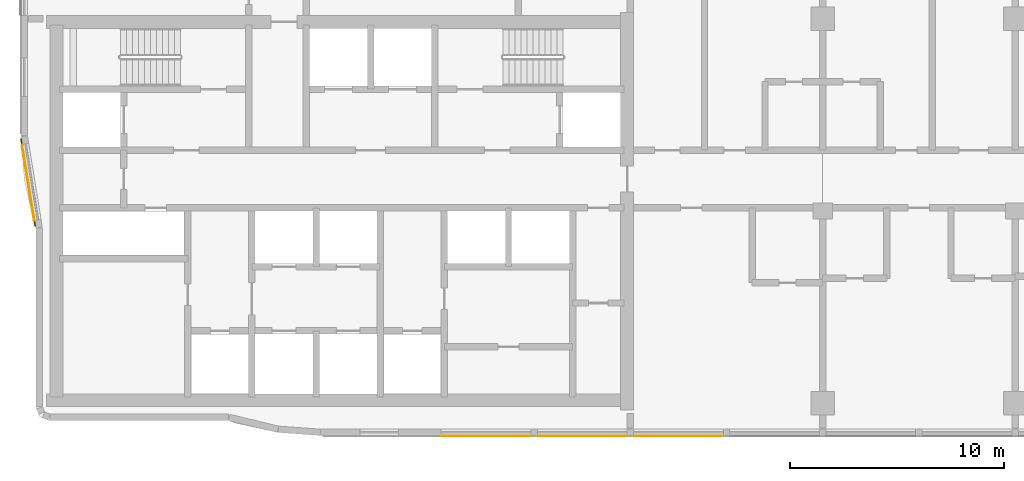
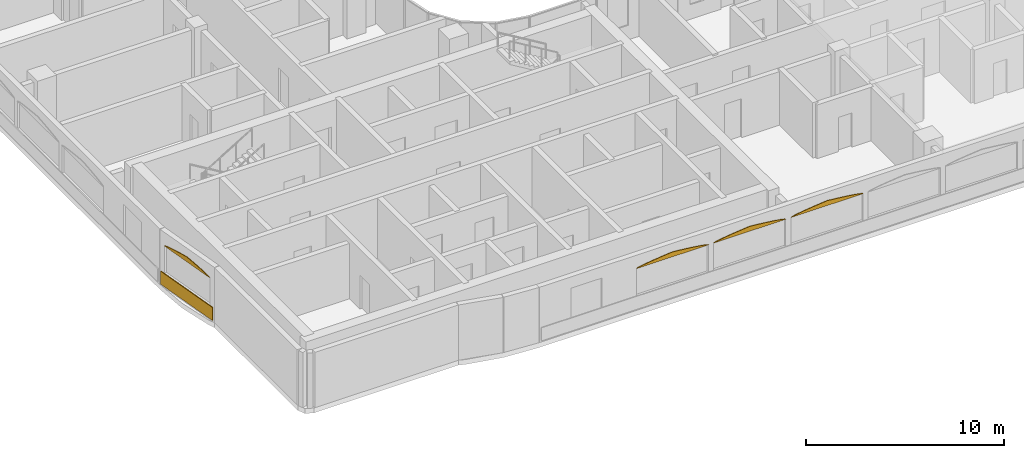
# One storey, part 15 of 22: 5 coverings.
"""IFC4 building model written with IfcOpenShell, lengths in metres."""

import ifcopenshell
import ifcopenshell.guid

model = None  # the IFC model being written
_history = None  # IfcOwnerHistory: only IFC2X3 demands one
_inside = {}  # id of a spatial element -> (the spatial element, [elements in it])
_under = {}  # id of a project, library or spatial element -> (it, [spatial elements below it])
_declared = {}  # id of a project -> (the project, [libraries it declares])
_typed = {}  # id of a type object -> (the type object, [elements of that type])
_made_of = {}  # id of a material, layer set ... -> (it, [elements and type objects made of it])


def new_model(schema):
    """Start an empty IFC model of exactly this schema.

    Asked for "IFC4X3", IfcOpenShell would pick the latest addendum, in which some entities
    have other attributes; the version numbers below select the first issue.
    IFC2X3 requires an IfcOwnerHistory on every rooted entity: one is made here for all.
    """
    global model, _history
    if schema == "IFC4X3":
        model = ifcopenshell.file(schema_version=(4, 3, 0, 0))
    else:
        model = ifcopenshell.file(schema=schema)
    _inside.clear()
    _under.clear()
    _declared.clear()
    _typed.clear()
    _made_of.clear()
    _history = None
    if model.schema == "IFC2X3":
        org = make("IfcOrganization", Name="unknown")
        user = make(
            "IfcPersonAndOrganization",
            ThePerson=make("IfcPerson", FamilyName="unknown"),
            TheOrganization=org,
        )
        app = make(
            "IfcApplication",
            ApplicationDeveloper=org,
            Version="unknown",
            ApplicationFullName="unknown",
            ApplicationIdentifier="unknown",
        )
        _history = make(
            "IfcOwnerHistory",
            OwningUser=user,
            OwningApplication=app,
            ChangeAction="ADDED",
            CreationDate=0,
        )
    return model


def make(cls, **values):
    """One entity of the class cls with the attributes given. An attribute that is None is left unset."""
    return model.create_entity(
        cls, **{name: value for name, value in values.items() if value is not None}
    )


def rooted(cls, **values):
    """An entity with a GlobalId (a new one), such as an element, a storey or a relation."""
    return make(cls, GlobalId=ifcopenshell.guid.new(), OwnerHistory=_history, **values)


def si_unit(unit_type, name, prefix=None):
    """IfcSIUnit, for example si_unit("LENGTHUNIT", "METRE", prefix="MILLI")."""
    return make("IfcSIUnit", UnitType=unit_type, Prefix=prefix, Name=name)


def assignment(units):
    """IfcUnitAssignment: the units of a project."""
    return None if units is None else make("IfcUnitAssignment", Units=units)


def point(xyz):
    """IfcCartesianPoint."""
    return None if xyz is None else make("IfcCartesianPoint", Coordinates=xyz)


def direction(xyz):
    """IfcDirection."""
    return None if xyz is None else make("IfcDirection", DirectionRatios=xyz)


def frame(location, z_axis=None, x_axis=None):
    """IfcAxis2Placement3D, a coordinate frame: its origin and axes. An axis left out is left unset."""
    return make(
        "IfcAxis2Placement3D",
        Location=point(location),
        Axis=direction(z_axis),
        RefDirection=direction(x_axis),
    )


def frame_2d(location, x_axis=None):
    """IfcAxis2Placement2D, a coordinate frame in the plane: its origin and x axis."""
    return make(
        "IfcAxis2Placement2D", Location=point(location), RefDirection=direction(x_axis)
    )


def origin():
    """The frame at (0, 0, 0) with its axes left unset."""
    return frame((0.0, 0.0, 0.0))


def origin_2d():
    """The frame at (0, 0) in the plane with its x axis left unset."""
    return frame_2d((0.0, 0.0))


def place(relative_to, where):
    """IfcLocalPlacement: puts the frame where relative to a parent placement (None: the world)."""
    return make(
        "IfcLocalPlacement", PlacementRelTo=relative_to, RelativePlacement=where
    )


def context(
    kind, dimensions, precision=None, world=None, true_north=None, identifier=None
):
    """IfcGeometricRepresentationContext, for example the 3D "Model" context."""
    return make(
        "IfcGeometricRepresentationContext",
        ContextIdentifier=identifier,
        ContextType=kind,
        CoordinateSpaceDimension=dimensions,
        Precision=precision,
        WorldCoordinateSystem=world,
        TrueNorth=true_north,
    )


def subcontext(parent, identifier, kind, view, scale=None):
    """IfcGeometricRepresentationSubContext, for example "Body" below "Model"."""
    return make(
        "IfcGeometricRepresentationSubContext",
        ContextIdentifier=identifier,
        ContextType=kind,
        ParentContext=parent,
        TargetScale=scale,
        TargetView=view,
    )


def project(units=None, contexts=None):
    """IfcProject with its units and contexts."""
    return rooted(
        "IfcProject",
        Name="project",
        RepresentationContexts=contexts,
        UnitsInContext=assignment(units),
    )


def spatial(cls, under=None, at=None, **own):
    """A site, building, storey or space (cls), placed at a placement, below another one or the project."""
    s = rooted(cls, ObjectPlacement=at, **own)
    if under is not None:
        _under.setdefault(under.id(), (under, []))[1].append(s)
    return s


def polyline(points):
    """IfcPolyline through the points."""
    return make("IfcPolyline", Points=[point(p) for p in points])


def profile(cls, at=None, kind="AREA", **sizes):
    """A parametric profile (cls). Its sizes go by their IFC names, for example OverallWidth=200.0."""
    return make(cls, ProfileType=kind, Position=at, **sizes)


def rectangle(**sizes):
    """IfcRectangleProfileDef."""
    return profile("IfcRectangleProfileDef", **sizes)


def outline(outer, holes=None, kind="AREA"):
    """IfcArbitraryClosedProfileDef: a profile drawn as a closed curve; with holes, ...WithVoids."""
    if holes is None:
        return make("IfcArbitraryClosedProfileDef", ProfileType=kind, OuterCurve=outer)
    return make(
        "IfcArbitraryProfileDefWithVoids",
        ProfileType=kind,
        OuterCurve=outer,
        InnerCurves=holes,
    )


def extrude(swept, where, along, depth):
    """IfcExtrudedAreaSolid: the profile swept, set in the frame where, extruded along a direction by depth."""
    return make(
        "IfcExtrudedAreaSolid",
        SweptArea=swept,
        Position=where,
        ExtrudedDirection=direction(along),
        Depth=depth,
    )


def shape(context_of_items, identifier, shape_type, items):
    """IfcShapeRepresentation: the items that make up one representation, for example the "Body"."""
    return make(
        "IfcShapeRepresentation",
        ContextOfItems=context_of_items,
        RepresentationIdentifier=identifier,
        RepresentationType=shape_type,
        Items=items,
    )


def material(Name=None, Category=None):
    """IfcMaterial."""
    return make("IfcMaterial", Name=Name, Category=Category)


def layer(
    of_material, thickness, ventilated=None, Name=None, Category=None, Priority=None
):
    """IfcMaterialLayer: one layer of a wall or slab, of a material (None: an air gap)."""
    return make(
        "IfcMaterialLayer",
        Material=of_material,
        LayerThickness=thickness,
        IsVentilated=ventilated,
        Name=Name,
        Category=Category,
        Priority=Priority,
    )


def layer_set(layers, Name=None):
    """IfcMaterialLayerSet."""
    return make("IfcMaterialLayerSet", MaterialLayers=layers, LayerSetName=Name)


def made_of(thing, what):
    """Note that an element or type object is made of a material, layer set ...; save() writes the relation."""
    if what is not None:
        _made_of.setdefault(what.id(), (what, []))[1].append(thing)
    return thing


def type_object(cls, material=None, **own):
    """A type object (cls), such as IfcWallType, which elements share."""
    return made_of(rooted(cls, **own), material)


def element(
    cls,
    number,
    at=None,
    inside=None,
    cuts=None,
    type_object=None,
    material=None,
    context=None,
    identifier="Body",
    shape_type=None,
    held_by="IfcProductDefinitionShape",
    body=None,
    shapes=None,
    **own,
):
    """One element of the class cls, such as IfcWall. Its Tag is "e" and its number.

    at: its placement. inside: the storey or other place that contains it. cuts: it is an
    opening in that element (IfcRelVoidsElement). A single representation is given by context,
    identifier, shape_type and body (its items); several are given by shapes. held_by: the class
    of the entity that holds the representations. save() writes the other relations.
    """
    e = rooted(cls, Tag="e%d" % number, ObjectPlacement=at, **own)
    if body is not None:
        shapes = [shape(context, identifier, shape_type, body)]
    if shapes is not None:
        e.Representation = make(held_by, Representations=shapes)
    if inside is not None:
        _inside.setdefault(inside.id(), (inside, []))[1].append(e)
    if cuts is not None:
        rooted(
            "IfcRelVoidsElement", RelatingBuildingElement=cuts, RelatedOpeningElement=e
        )
    if type_object is not None:
        _typed.setdefault(type_object.id(), (type_object, []))[1].append(e)
    return made_of(e, material)


def aggregate(whole, parts):
    """IfcRelAggregates: a whole, such as a stair, and the parts it consists of."""
    return rooted("IfcRelAggregates", RelatingObject=whole, RelatedObjects=parts)


def save(model, path):
    """Write the relations noted so far, then the file.

    IfcRelAggregates (storeys below a building ...), IfcRelContainedInSpatialStructure (elements
    in a storey), IfcRelDefinesByType, IfcRelAssociatesMaterial and IfcRelDeclares: one each for
    every whole, place, type object, material and project.
    """
    for whole, parts in _under.values():
        aggregate(whole, parts)
    for where, things in _inside.values():
        rooted(
            "IfcRelContainedInSpatialStructure",
            RelatedElements=things,
            RelatingStructure=where,
        )
    for kind, things in _typed.values():
        rooted("IfcRelDefinesByType", RelatedObjects=things, RelatingType=kind)
    for what, things in _made_of.values():
        rooted("IfcRelAssociatesMaterial", RelatedObjects=things, RelatingMaterial=what)
    for by, libraries in _declared.values():
        rooted("IfcRelDeclares", RelatingContext=by, RelatedDefinitions=libraries)
    model.write(path)


model = new_model("IFC4")

# Units and contexts
model_context = context("Model", 3, precision=1e-05, world=origin(), true_north=direction((0.0, 1.0)))
body_context = subcontext(model_context, "Body", "Model", "MODEL_VIEW")
ifc_project = project(units=[si_unit("LENGTHUNIT", "METRE"), si_unit("AREAUNIT", "SQUARE_METRE"), si_unit("VOLUMEUNIT", "CUBIC_METRE"), si_unit("PLANEANGLEUNIT", "RADIAN"), si_unit("MASSUNIT", "GRAM", prefix="KILO")], contexts=[model_context])

# Site, building, storey
site_placement = place(None, origin())
site = spatial("IfcSite", under=ifc_project, at=site_placement, CompositionType="ELEMENT")
building_placement = place(site_placement, origin())
building = spatial("IfcBuilding", under=site, at=building_placement, Name="Ogive Portal Towers", CompositionType="ELEMENT")
storey_placement = place(building_placement, frame((0.0, 0.0, 145.89990234375)))
storey = spatial("IfcBuildingStorey", under=building, at=storey_placement, Name="L35", CompositionType="ELEMENT", Elevation=145.89990234375)

# Coverings
ifc_material = material(Name="Limestone cladding on lightweight block wall", Category="masonry")
ifc_layer_1 = layer(ifc_material, 0.0400390625)
ifc_layer_set_1 = layer_set([ifc_layer_1], Name="LANCET HEAD STONE")
covering_type_1 = type_object("IfcCoveringType", Name="LANCET HEAD STONE", PredefinedType="CLADDING", material=ifc_layer_set_1)
for number, where, z_axis, x_axis, name in (
    (1, (49.64990234375, 20.0, 2.60009765625), (0.0, 0.999948944021, 0.010104917167), (1.0, 0.0, 0.0), "Lancet head"),
    (2, (54.14990234375, 20.0, 2.60009765625), (0.0, 0.999948944021, 0.010104917167), (1.0, 0.0, 0.0), "Lancet head"),
    (3, (58.64990234375, 20.0, 2.60009765625), (0.0, 0.999948944021, 0.010104917167), (1.0, 0.0, 0.0), "Lancet head"),
):
    element("IfcCovering", number, at=place(storey_placement, frame(where, z_axis=z_axis, x_axis=x_axis)), inside=storey, type_object=covering_type_1, Name=name, PredefinedType="CLADDING", context=body_context, shape_type="SweptSolid", body=[
        extrude(outline(polyline([(0.0, 0.0), (4.2001953125, 0.0), (4.107177734375, -0.03760067070644378), (3.9375, -0.07495474623193346), (3.7177734375, -0.11255541693837724), (3.45751953125, -0.14990949246386692), (3.162353515625, -0.1875101631703107), (2.836181640625, -0.2251083668559618), (2.481201171875, -0.26246490940224415), (2.10009765625, -0.30006311308789524), (1.718994140625, -0.26246490940224415), (1.364013671875, -0.2251083668559618), (1.037841796875, -0.1875101631703107), (0.74267578125, -0.14990949246386692), (0.482421875, -0.11255541693837724), (0.2626953125, -0.07495474623193346), (0.093017578125, -0.03760067070644378), (0.0, 0.0)])), origin(), (0.0, 0.0, -1.0), 0.0400390625),
    ])
covering_1_placement = place(storey_placement, frame((30.062744140625, 33.6142578125, 2.60009765625), z_axis=(0.986964205167, 0.160642046632, 0.009787265844), x_axis=(0.16064974204, -0.987011479357, -8.8846e-08)))
element("IfcCovering", 4, at=covering_1_placement, inside=storey, type_object=covering_type_1, Name="Lancet head", PredefinedType="CLADDING", context=body_context, shape_type="SweptSolid", body=[
    extrude(outline(polyline([(0.0, 0.0), (3.5999864036753886, 0.0), (3.5202762483762315, -0.037599598414805965), (3.37502264072149, -0.07495474980008483), (3.1865011615449124, -0.11255288557990441), (2.963543600983878, -0.14991013417568558), (2.7104425478278342, -0.18750948741358767), (2.430890988347113, -0.22510785783726503), (2.126575709759572, -0.2624638037383137), (1.7999848502732092, -0.300064705009899), (1.4730689427824313, -0.2624636938705405), (1.1691123038170235, -0.2251094953208167), (0.8891964752034596, -0.18750831176359586), (0.6362130921134777, -0.1499088787986371), (0.413171453104099, -0.11255285673556278), (0.2249693924646084, -0.07495494863158586), (0.07935151563364218, -0.03759880389903616), (0.0, 0.0)])), origin(), (0.0, 0.0, -1.0), 0.0400390625),
])
ifc_layer_2 = layer(ifc_material, 0.050048828125)
ifc_layer_set_2 = layer_set([ifc_layer_2], Name="SCREEN PERFORATED STONE")
covering_type_2 = type_object("IfcCoveringType", Name="SCREEN PERFORATED STONE", PredefinedType="CLADDING", material=ifc_layer_set_2)
covering_2_placement = place(storey_placement, frame((30.327392578125, 31.833740234375, 0.10009765625), z_axis=(0.0, 0.0, 1.0), x_axis=(0.160654533408, -0.987010699484, 0.0)))
element("IfcCovering", 5, at=covering_2_placement, inside=storey, type_object=covering_type_2, Name="Tracery screen", PredefinedType="CLADDING", context=body_context, shape_type="SweptSolid", body=[
    extrude(rectangle(XDim=4.1328125, YDim=0.050048828125, at=origin_2d()), origin(), (0.0, 0.0, 1.0), 0.800048828125),
])

save(model, "model.ifc")
